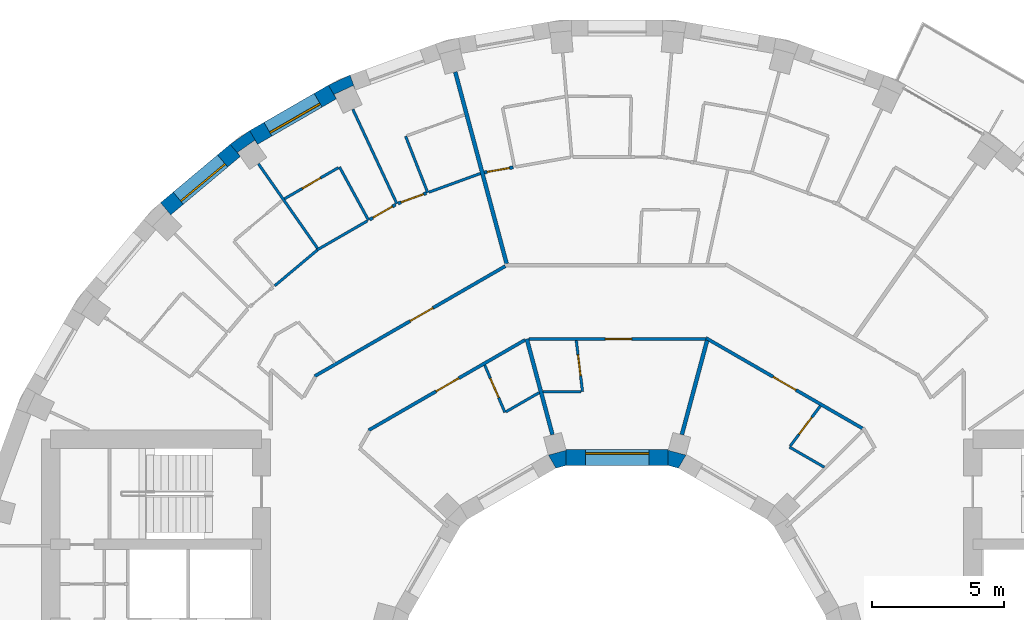
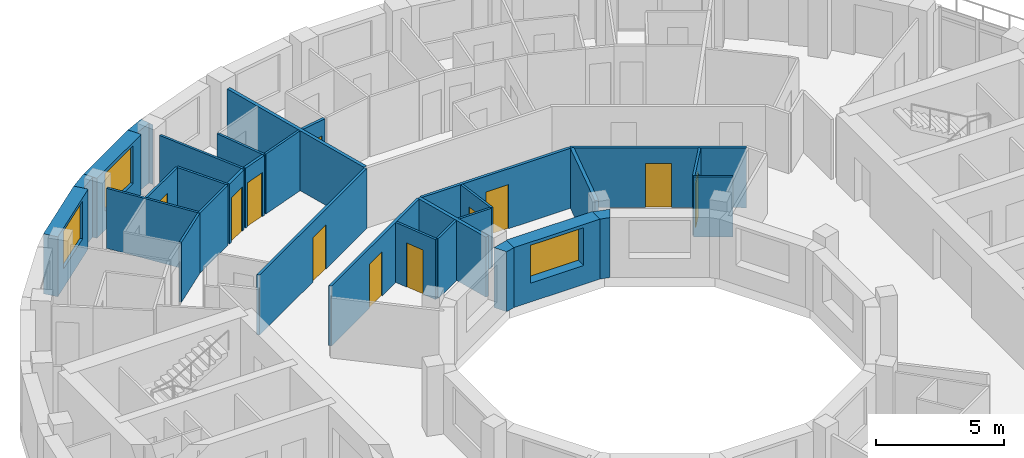
# One storey, part 11 of 15: 31 walls, 11 doors, 3 windows, 14 openings.
"""IFC4 building model written with IfcOpenShell, lengths in metres."""

import ifcopenshell
import ifcopenshell.guid

model = None  # the IFC model being written
_history = None  # IfcOwnerHistory: only IFC2X3 demands one
_inside = {}  # id of a spatial element -> (the spatial element, [elements in it])
_under = {}  # id of a project, library or spatial element -> (it, [spatial elements below it])
_declared = {}  # id of a project -> (the project, [libraries it declares])
_typed = {}  # id of a type object -> (the type object, [elements of that type])
_made_of = {}  # id of a material, layer set ... -> (it, [elements and type objects made of it])


def new_model(schema):
    """Start an empty IFC model of exactly this schema.

    Asked for "IFC4X3", IfcOpenShell would pick the latest addendum, in which some entities
    have other attributes; the version numbers below select the first issue.
    IFC2X3 requires an IfcOwnerHistory on every rooted entity: one is made here for all.
    """
    global model, _history
    if schema == "IFC4X3":
        model = ifcopenshell.file(schema_version=(4, 3, 0, 0))
    else:
        model = ifcopenshell.file(schema=schema)
    _inside.clear()
    _under.clear()
    _declared.clear()
    _typed.clear()
    _made_of.clear()
    _history = None
    if model.schema == "IFC2X3":
        org = make("IfcOrganization", Name="unknown")
        user = make(
            "IfcPersonAndOrganization",
            ThePerson=make("IfcPerson", FamilyName="unknown"),
            TheOrganization=org,
        )
        app = make(
            "IfcApplication",
            ApplicationDeveloper=org,
            Version="unknown",
            ApplicationFullName="unknown",
            ApplicationIdentifier="unknown",
        )
        _history = make(
            "IfcOwnerHistory",
            OwningUser=user,
            OwningApplication=app,
            ChangeAction="ADDED",
            CreationDate=0,
        )
    return model


def make(cls, **values):
    """One entity of the class cls with the attributes given. An attribute that is None is left unset."""
    return model.create_entity(
        cls, **{name: value for name, value in values.items() if value is not None}
    )


def rooted(cls, **values):
    """An entity with a GlobalId (a new one), such as an element, a storey or a relation."""
    return make(cls, GlobalId=ifcopenshell.guid.new(), OwnerHistory=_history, **values)


def si_unit(unit_type, name, prefix=None):
    """IfcSIUnit, for example si_unit("LENGTHUNIT", "METRE", prefix="MILLI")."""
    return make("IfcSIUnit", UnitType=unit_type, Prefix=prefix, Name=name)


def assignment(units):
    """IfcUnitAssignment: the units of a project."""
    return None if units is None else make("IfcUnitAssignment", Units=units)


def point(xyz):
    """IfcCartesianPoint."""
    return None if xyz is None else make("IfcCartesianPoint", Coordinates=xyz)


def direction(xyz):
    """IfcDirection."""
    return None if xyz is None else make("IfcDirection", DirectionRatios=xyz)


def frame(location, z_axis=None, x_axis=None):
    """IfcAxis2Placement3D, a coordinate frame: its origin and axes. An axis left out is left unset."""
    return make(
        "IfcAxis2Placement3D",
        Location=point(location),
        Axis=direction(z_axis),
        RefDirection=direction(x_axis),
    )


def frame_2d(location, x_axis=None):
    """IfcAxis2Placement2D, a coordinate frame in the plane: its origin and x axis."""
    return make(
        "IfcAxis2Placement2D", Location=point(location), RefDirection=direction(x_axis)
    )


def origin():
    """The frame at (0, 0, 0) with its axes left unset."""
    return frame((0.0, 0.0, 0.0))


def place(relative_to, where):
    """IfcLocalPlacement: puts the frame where relative to a parent placement (None: the world)."""
    return make(
        "IfcLocalPlacement", PlacementRelTo=relative_to, RelativePlacement=where
    )


def context(
    kind, dimensions, precision=None, world=None, true_north=None, identifier=None
):
    """IfcGeometricRepresentationContext, for example the 3D "Model" context."""
    return make(
        "IfcGeometricRepresentationContext",
        ContextIdentifier=identifier,
        ContextType=kind,
        CoordinateSpaceDimension=dimensions,
        Precision=precision,
        WorldCoordinateSystem=world,
        TrueNorth=true_north,
    )


def subcontext(parent, identifier, kind, view, scale=None):
    """IfcGeometricRepresentationSubContext, for example "Body" below "Model"."""
    return make(
        "IfcGeometricRepresentationSubContext",
        ContextIdentifier=identifier,
        ContextType=kind,
        ParentContext=parent,
        TargetScale=scale,
        TargetView=view,
    )


def project(units=None, contexts=None):
    """IfcProject with its units and contexts."""
    return rooted(
        "IfcProject",
        Name="project",
        RepresentationContexts=contexts,
        UnitsInContext=assignment(units),
    )


def spatial(cls, under=None, at=None, **own):
    """A site, building, storey or space (cls), placed at a placement, below another one or the project."""
    s = rooted(cls, ObjectPlacement=at, **own)
    if under is not None:
        _under.setdefault(under.id(), (under, []))[1].append(s)
    return s


def polyline(points):
    """IfcPolyline through the points."""
    return make("IfcPolyline", Points=[point(p) for p in points])


def profile(cls, at=None, kind="AREA", **sizes):
    """A parametric profile (cls). Its sizes go by their IFC names, for example OverallWidth=200.0."""
    return make(cls, ProfileType=kind, Position=at, **sizes)


def rectangle(**sizes):
    """IfcRectangleProfileDef."""
    return profile("IfcRectangleProfileDef", **sizes)


def outline(outer, holes=None, kind="AREA"):
    """IfcArbitraryClosedProfileDef: a profile drawn as a closed curve; with holes, ...WithVoids."""
    if holes is None:
        return make("IfcArbitraryClosedProfileDef", ProfileType=kind, OuterCurve=outer)
    return make(
        "IfcArbitraryProfileDefWithVoids",
        ProfileType=kind,
        OuterCurve=outer,
        InnerCurves=holes,
    )


def extrude(swept, where, along, depth):
    """IfcExtrudedAreaSolid: the profile swept, set in the frame where, extruded along a direction by depth."""
    return make(
        "IfcExtrudedAreaSolid",
        SweptArea=swept,
        Position=where,
        ExtrudedDirection=direction(along),
        Depth=depth,
    )


def shape(context_of_items, identifier, shape_type, items):
    """IfcShapeRepresentation: the items that make up one representation, for example the "Body"."""
    return make(
        "IfcShapeRepresentation",
        ContextOfItems=context_of_items,
        RepresentationIdentifier=identifier,
        RepresentationType=shape_type,
        Items=items,
    )


def material(Name=None, Category=None):
    """IfcMaterial."""
    return make("IfcMaterial", Name=Name, Category=Category)


def layer(
    of_material, thickness, ventilated=None, Name=None, Category=None, Priority=None
):
    """IfcMaterialLayer: one layer of a wall or slab, of a material (None: an air gap)."""
    return make(
        "IfcMaterialLayer",
        Material=of_material,
        LayerThickness=thickness,
        IsVentilated=ventilated,
        Name=Name,
        Category=Category,
        Priority=Priority,
    )


def layer_set(layers, Name=None):
    """IfcMaterialLayerSet."""
    return make("IfcMaterialLayerSet", MaterialLayers=layers, LayerSetName=Name)


def made_of(thing, what):
    """Note that an element or type object is made of a material, layer set ...; save() writes the relation."""
    if what is not None:
        _made_of.setdefault(what.id(), (what, []))[1].append(thing)
    return thing


def type_object(cls, material=None, **own):
    """A type object (cls), such as IfcWallType, which elements share."""
    return made_of(rooted(cls, **own), material)


def element(
    cls,
    number,
    at=None,
    inside=None,
    cuts=None,
    type_object=None,
    material=None,
    context=None,
    identifier="Body",
    shape_type=None,
    held_by="IfcProductDefinitionShape",
    body=None,
    shapes=None,
    **own,
):
    """One element of the class cls, such as IfcWall. Its Tag is "e" and its number.

    at: its placement. inside: the storey or other place that contains it. cuts: it is an
    opening in that element (IfcRelVoidsElement). A single representation is given by context,
    identifier, shape_type and body (its items); several are given by shapes. held_by: the class
    of the entity that holds the representations. save() writes the other relations.
    """
    e = rooted(cls, Tag="e%d" % number, ObjectPlacement=at, **own)
    if body is not None:
        shapes = [shape(context, identifier, shape_type, body)]
    if shapes is not None:
        e.Representation = make(held_by, Representations=shapes)
    if inside is not None:
        _inside.setdefault(inside.id(), (inside, []))[1].append(e)
    if cuts is not None:
        rooted(
            "IfcRelVoidsElement", RelatingBuildingElement=cuts, RelatedOpeningElement=e
        )
    if type_object is not None:
        _typed.setdefault(type_object.id(), (type_object, []))[1].append(e)
    return made_of(e, material)


def fill(opening, filler):
    """IfcRelFillsElement: the door or window that sits in an opening."""
    return rooted(
        "IfcRelFillsElement",
        RelatingOpeningElement=opening,
        RelatedBuildingElement=filler,
    )


def aggregate(whole, parts):
    """IfcRelAggregates: a whole, such as a stair, and the parts it consists of."""
    return rooted("IfcRelAggregates", RelatingObject=whole, RelatedObjects=parts)


def save(model, path):
    """Write the relations noted so far, then the file.

    IfcRelAggregates (storeys below a building ...), IfcRelContainedInSpatialStructure (elements
    in a storey), IfcRelDefinesByType, IfcRelAssociatesMaterial and IfcRelDeclares: one each for
    every whole, place, type object, material and project.
    """
    for whole, parts in _under.values():
        aggregate(whole, parts)
    for where, things in _inside.values():
        rooted(
            "IfcRelContainedInSpatialStructure",
            RelatedElements=things,
            RelatingStructure=where,
        )
    for kind, things in _typed.values():
        rooted("IfcRelDefinesByType", RelatedObjects=things, RelatingType=kind)
    for what, things in _made_of.values():
        rooted("IfcRelAssociatesMaterial", RelatedObjects=things, RelatingMaterial=what)
    for by, libraries in _declared.values():
        rooted("IfcRelDeclares", RelatingContext=by, RelatedDefinitions=libraries)
    model.write(path)


model = new_model("IFC4")

# Units and contexts
model_context = context("Model", 3, precision=1e-05, world=origin(), true_north=direction((0.0, 1.0)))
body_context = subcontext(model_context, "Body", "Model", "MODEL_VIEW")
ifc_project = project(units=[si_unit("LENGTHUNIT", "METRE"), si_unit("AREAUNIT", "SQUARE_METRE"), si_unit("VOLUMEUNIT", "CUBIC_METRE"), si_unit("PLANEANGLEUNIT", "RADIAN"), si_unit("MASSUNIT", "GRAM", prefix="KILO")], contexts=[model_context])

# Site, building, storey
site_placement = place(None, origin())
site = spatial("IfcSite", under=ifc_project, at=site_placement, CompositionType="ELEMENT")
building_placement = place(site_placement, origin())
building = spatial("IfcBuilding", under=site, at=building_placement, Name="Saqina Gate Tower", CompositionType="ELEMENT")
storey_placement = place(building_placement, frame((0.0, 0.0, 190.5)))
storey = spatial("IfcBuildingStorey", under=building, at=storey_placement, Name="L54", CompositionType="ELEMENT", Elevation=190.5)

# Walls
ifc_material_1 = material(Name="Brick masonry (buff)", Category="masonry")
wall_type_1 = type_object("IfcWallType", Name="BRICK PIER COPING BUFF", PredefinedType="SOLIDWALL", material=ifc_material_1)
wall_1_placement = place(storey_placement, origin())
element("IfcWall", 1, at=wall_1_placement, inside=storey, type_object=wall_type_1, Name="Pier cap L54 column 12", PredefinedType="SOLIDWALL", context=body_context, shape_type="SweptSolid", body=[
    extrude(outline(polyline([(-10.958740234375, 22.4306640625), (-10.65869140625, 21.9111328125), (-10.73779296875, 22.080810546875), (-10.0126953125, 22.4189453125), (-9.93359375, 22.249267578125), (-10.138916015625, 22.81298828125), (-10.958740234375, 22.4306640625)])), origin(), (0.0, 0.0, 1.0), 2.85009765625),
])
wall_2_placement = place(storey_placement, origin())
element("IfcWall", 2, at=wall_2_placement, inside=storey, type_object=wall_type_1, Name="Pier cap L54 column 13", PredefinedType="SOLIDWALL", context=body_context, shape_type="SweptSolid", body=[
    extrude(outline(polyline([(-13.9462890625, 20.705810546875), (-14.687255859375, 20.18701171875), (-14.301513671875, 19.727294921875), (-14.408935546875, 19.880859375), (-13.753662109375, 20.339599609375), (-13.646240234375, 20.186279296875), (-13.9462890625, 20.705810546875)])), origin(), (0.0, 0.0, 1.0), 2.85009765625),
])

# Wall, opening, window
ifc_material_2 = material(Name="Brick masonry (buff)", Category="masonry")
ifc_layer_1 = layer(ifc_material_2, 0.60009765625)
ifc_layer_set_1 = layer_set([ifc_layer_1], Name="FW-BRICK-BUFF")
wall_type_2 = type_object("IfcWallType", Name="FW-BRICK-BUFF", PredefinedType="SOLIDWALL", material=ifc_layer_set_1)
wall_3_placement = place(storey_placement, frame((-10.80859375, 22.1708984375, 0.0), z_axis=(0.0, 0.0, 1.0), x_axis=(-0.86602648383, -0.499998129301, 0.0)))
wall_3 = element("IfcWall", 3, at=wall_3_placement, inside=storey, type_object=wall_type_2, Name="Facade wall L54 facet 12", PredefinedType="SOLIDWALL", context=body_context, shape_type="SweptSolid", body=[
    extrude(rectangle(XDim=3.44970703125, YDim=0.60009765625, at=frame_2d((1.724853515625, 0.0))), origin(), (0.0, 0.0, 1.0), 2.85009765625),
])
opening_1_placement = place(wall_3_placement, frame((0.625, 0.0, 0.89990234375)))
opening_1 = element("IfcOpeningElement", 4, at=opening_1_placement, cuts=wall_3, Name="Opening G16-W06", PredefinedType="OPENING", context=body_context, shape_type="SweptSolid", body=[
    extrude(rectangle(XDim=2.199951171875, YDim=1.800048828125, at=frame_2d((1.10009765625, 0.89990234375))), frame((0.0, 0.31201171875, 0.0), z_axis=(0.0, -1.0, 0.0), x_axis=(1.0, 0.0, 0.0)), (0.0, 0.0, 1.0), 0.6240234375),
])
ifc_material_3 = material(Name="Aluminium glazing", Category="aluminium")
window_type_1 = type_object("IfcWindowType", Name="WN-C", PartitioningType="SINGLE_PANEL", PredefinedType="WINDOW", material=ifc_material_3)
window_1_placement = place(opening_1_placement, origin())
window_1 = element("IfcWindow", 5, at=window_1_placement, inside=storey, type_object=window_type_1, Name="Window L54 facet 12", OverallHeight=1.800048828125, OverallWidth=2.199951171875, PartitioningType="SINGLE_PANEL", PredefinedType="WINDOW", context=body_context, shape_type="SweptSolid", body=[
    extrude(rectangle(XDim=2.199951171875, YDim=1.800048828125, at=frame_2d((1.10009765625, 0.89990234375))), frame((0.0, 0.179931640625, 0.0), z_axis=(0.0, -1.0, 0.0), x_axis=(1.0, 0.0, 0.0)), (0.0, 0.0, 1.0), 0.06005859375),
])
fill(opening_1, window_1)

wall_4_placement = place(storey_placement, frame((-14.494384765625, 19.95703125, 0.0), z_axis=(0.0, 0.0, 1.0), x_axis=(-0.766058884809, -0.642770398358, 0.0)))
wall_4 = element("IfcWall", 6, at=wall_4_placement, inside=storey, type_object=wall_type_2, Name="Facade wall L54 facet 13", PredefinedType="SOLIDWALL", context=body_context, shape_type="SweptSolid", body=[
    extrude(rectangle(XDim=3.449462890625, YDim=0.60009765625, at=frame_2d((1.724609375, 0.0))), origin(), (0.0, 0.0, 1.0), 2.85009765625),
])
opening_2_placement = place(wall_4_placement, frame((0.625, 0.0, 0.89990234375)))
opening_2 = element("IfcOpeningElement", 7, at=opening_2_placement, cuts=wall_4, Name="Opening G16-W07", PredefinedType="OPENING", context=body_context, shape_type="SweptSolid", body=[
    extrude(rectangle(XDim=2.199951171875, YDim=1.800048828125, at=frame_2d((1.10009765625, 0.89990234375))), frame((0.0, 0.31201171875, 0.0), z_axis=(0.0, -1.0, 0.0), x_axis=(1.0, 0.0, 0.0)), (0.0, 0.0, 1.0), 0.6240234375),
])
window_2_placement = place(opening_2_placement, origin())
window_2 = element("IfcWindow", 8, at=window_2_placement, inside=storey, type_object=window_type_1, Name="Window L54 facet 13", OverallHeight=1.800048828125, OverallWidth=2.199951171875, PartitioningType="SINGLE_PANEL", PredefinedType="WINDOW", context=body_context, shape_type="SweptSolid", body=[
    extrude(rectangle(XDim=2.199951171875, YDim=1.800048828125, at=frame_2d((1.10009765625, 0.89990234375))), frame((0.0, 0.179931640625, 0.0), z_axis=(0.0, -1.0, 0.0), x_axis=(1.0, 0.0, 0.0)), (0.0, 0.0, 1.0), 0.06005859375),
])
fill(opening_2, window_2)

ifc_material_4 = material(Name="Glazed ceramic tile", Category="ceramic")
ifc_layer_2 = layer(ifc_material_4, 0.60009765625)
ifc_layer_set_2 = layer_set([ifc_layer_2], Name="IW-TILE")
wall_type_3 = type_object("IfcWallType", Name="IW-TILE", PredefinedType="SOLIDWALL", material=ifc_layer_set_2)
wall_5_placement = place(storey_placement, frame((1.934814453125, 8.300048828125, 0.0), z_axis=(0.0, 0.0, 1.0), x_axis=(-1.0, 0.0, 0.0)))
wall_5 = element("IfcWall", 9, at=wall_5_placement, inside=storey, type_object=wall_type_3, Name="Well wall L54 facet 3", PredefinedType="SOLIDWALL", context=body_context, shape_type="SweptSolid", body=[
    extrude(rectangle(XDim=3.86962890625, YDim=0.60009765625, at=frame_2d((1.934814453125, 0.0))), origin(), (0.0, 0.0, 1.0), 2.85009765625),
])
opening_3_placement = place(wall_5_placement, frame((0.73486328125, 0.0, 0.89990234375)))
opening_3 = element("IfcOpeningElement", 10, at=opening_3_placement, cuts=wall_5, Name="Opening G16-W25", PredefinedType="OPENING", context=body_context, shape_type="SweptSolid", body=[
    extrude(rectangle(XDim=2.39990234375, YDim=1.800048828125, at=frame_2d((1.199951171875, 0.89990234375))), frame((0.0, 0.31201171875, 0.0), z_axis=(0.0, -1.0, 0.0), x_axis=(1.0, 0.0, 0.0)), (0.0, 0.0, 1.0), 0.6240234375),
])
ifc_material_5 = material(Name="Aluminium glazing", Category="aluminium")
window_type_2 = type_object("IfcWindowType", Name="WN-W", PartitioningType="SINGLE_PANEL", PredefinedType="WINDOW", material=ifc_material_5)
window_3_placement = place(opening_3_placement, origin())
window_3 = element("IfcWindow", 11, at=window_3_placement, inside=storey, type_object=window_type_2, Name="Well window L54 facet 3", OverallHeight=1.800048828125, OverallWidth=2.39990234375, PartitioningType="SINGLE_PANEL", PredefinedType="WINDOW", context=body_context, shape_type="SweptSolid", body=[
    extrude(rectangle(XDim=2.39990234375, YDim=1.800048828125, at=frame_2d((1.199951171875, 0.89990234375))), frame((0.0, -0.119873046875, 0.0), z_axis=(0.0, -1.0, 0.0), x_axis=(1.0, 0.0, 0.0)), (0.0, 0.0, 1.0), 0.06005859375),
])
fill(opening_3, window_3)

# Wall, opening, door
ifc_material_6 = material(Name="Gypsum board on steel studs, 100 mm", Category="steel")
ifc_layer_3 = layer(ifc_material_6, 0.10009765625)
ifc_layer_set_3 = layer_set([ifc_layer_3], Name="PARTITION 100")
wall_type_4 = type_object("IfcWallType", Name="PARTITION 100", PredefinedType="PARTITIONING", material=ifc_layer_set_3)
wall_6_placement = place(storey_placement, frame((-1.551513671875, 12.738037109375, 0.0), z_axis=(0.0, 0.0, 1.0), x_axis=(0.121171579545, -0.992631577329, 0.0)))
wall_6 = element("IfcWall", 12, at=wall_6_placement, inside=storey, type_object=wall_type_4, Name="PARTITION PW3-05", PredefinedType="PARTITIONING", context=body_context, shape_type="SweptSolid", body=[
    extrude(rectangle(XDim=1.952392578125, YDim=0.10009765625, at=frame_2d((0.97607421875, 0.0))), origin(), (0.0, 0.0, 1.0), 2.85009765625),
])
opening_4_placement = place(wall_6_placement, frame((0.544921875, 0.0, 0.0)))
opening_4 = element("IfcOpeningElement", 13, at=opening_4_placement, cuts=wall_6, Name="Opening G16-D18", PredefinedType="OPENING", context=body_context, shape_type="SweptSolid", body=[
    extrude(rectangle(XDim=0.800048828125, YDim=2.10009765625, at=frame_2d((0.39990234375, 1.050048828125))), frame((0.0, 0.06201171875, 0.0), z_axis=(0.0, -1.0, 0.0), x_axis=(1.0, 0.0, 0.0)), (0.0, 0.0, 1.0), 0.1240234375),
])
ifc_material_7 = material(Name="Timber door leaf, 800 mm", Category="wood")
door_type_1 = type_object("IfcDoorType", Name="DOOR 800 TIMBER", OperationType="SINGLE_SWING_LEFT", PredefinedType="DOOR", material=ifc_material_7)
door_1_placement = place(opening_4_placement, origin())
door_1 = element("IfcDoor", 14, at=door_1_placement, inside=storey, type_object=door_type_1, Name="DOOR G16-D18", OperationType="SINGLE_SWING_LEFT", OverallHeight=2.10009765625, OverallWidth=0.800048828125, PredefinedType="DOOR", context=body_context, shape_type="SweptSolid", body=[
    extrude(rectangle(XDim=0.800048828125, YDim=2.10009765625, at=frame_2d((0.39990234375, 1.050048828125))), frame((0.0, 0.02490234375, 0.0), z_axis=(0.0, -1.0, 0.0), x_axis=(1.0, 0.0, 0.0)), (0.0, 0.0, 1.0), 0.050048828125),
])
fill(opening_4, door_1)

# Wall
wall_7_placement = place(storey_placement, frame((-8.030029296875, 20.493896484375, 0.0), z_axis=(0.0, 0.0, 1.0), x_axis=(0.364775478286, -0.931095510912, 0.0)))
element("IfcWall", 15, at=wall_7_placement, inside=storey, type_object=wall_type_4, Name="PARTITION PW3-10", PredefinedType="PARTITIONING", context=body_context, shape_type="SweptSolid", body=[
    extrude(rectangle(XDim=2.30029296875, YDim=0.10009765625, at=frame_2d((1.150146484375, 0.0))), origin(), (0.0, 0.0, 1.0), 2.85009765625),
])

# Wall, opening, door
wall_8_placement = place(storey_placement, frame((-5.025634765625, 11.806396484375, 0.0), z_axis=(0.0, 0.0, 1.0), x_axis=(0.391834610446, -0.920035672165, 0.0)))
wall_8 = element("IfcWall", 16, at=wall_8_placement, inside=storey, type_object=wall_type_4, Name="PARTITION PW3-12", PredefinedType="PARTITIONING", context=body_context, shape_type="SweptSolid", body=[
    extrude(rectangle(XDim=1.951416015625, YDim=0.10009765625, at=frame_2d((0.9755859375, 0.0))), origin(), (0.0, 0.0, 1.0), 2.85009765625),
])
opening_5_placement = place(wall_8_placement, frame((0.54443359375, 0.0, 0.0)))
opening_5 = element("IfcOpeningElement", 17, at=opening_5_placement, cuts=wall_8, Name="Opening G16-D22", PredefinedType="OPENING", context=body_context, shape_type="SweptSolid", body=[
    extrude(rectangle(XDim=0.800048828125, YDim=2.10009765625, at=frame_2d((0.39990234375, 1.050048828125))), frame((0.0, 0.06201171875, 0.0), z_axis=(0.0, -1.0, 0.0), x_axis=(1.0, 0.0, 0.0)), (0.0, 0.0, 1.0), 0.1240234375),
])
door_2_placement = place(opening_5_placement, frame((0.800048828125, 0.0, 0.0), z_axis=(0.0, 0.0, 1.0), x_axis=(-1.0, 0.0, 0.0)))
door_2 = element("IfcDoor", 18, at=door_2_placement, inside=storey, type_object=door_type_1, Name="DOOR G16-D22", OperationType="SINGLE_SWING_RIGHT", OverallHeight=2.10009765625, OverallWidth=0.800048828125, PredefinedType="DOOR", context=body_context, shape_type="SweptSolid", body=[
    extrude(rectangle(XDim=0.800048828125, YDim=2.10009765625, at=frame_2d((0.39990234375, 1.050048828125))), frame((0.0, 0.02490234375, 0.0), z_axis=(0.0, -1.0, 0.0), x_axis=(1.0, 0.0, 0.0)), (0.0, 0.0, 1.0), 0.050048828125),
])
fill(opening_5, door_2)

# Walls
wall_9_placement = place(storey_placement, frame((-10.032958984375, 21.515869140625, 0.0), z_axis=(0.0, 0.0, 1.0), x_axis=(0.422733584559, -0.90625400219, 0.0)))
element("IfcWall", 19, at=wall_9_placement, inside=storey, type_object=wall_type_4, Name="PARTITION PW3-13", PredefinedType="PARTITIONING", context=body_context, shape_type="SweptSolid", body=[
    extrude(rectangle(XDim=3.960205078125, YDim=0.10009765625, at=frame_2d((1.97998046875, 0.0))), origin(), (0.0, 0.0, 1.0), 2.85009765625),
])
wall_10_placement = place(storey_placement, frame((-10.5380859375, 19.324951171875, 0.0), z_axis=(0.0, 0.0, 1.0), x_axis=(0.478926465157, -0.877855022753, 0.0)))
element("IfcWall", 20, at=wall_10_placement, inside=storey, type_object=wall_type_4, Name="PARTITION PW3-14", PredefinedType="PARTITIONING", context=body_context, shape_type="SweptSolid", body=[
    extrude(rectangle(XDim=2.301025390625, YDim=0.10009765625, at=frame_2d((1.150390625, 0.0))), origin(), (0.0, 0.0, 1.0), 2.85009765625),
])
wall_11_placement = place(storey_placement, frame((-13.616943359375, 19.446533203125, 0.0), z_axis=(0.0, 0.0, 1.0), x_axis=(0.573546149397, -0.819173250608, 0.0)))
element("IfcWall", 21, at=wall_11_placement, inside=storey, type_object=wall_type_4, Name="PARTITION PW3-18", PredefinedType="PARTITIONING", context=body_context, shape_type="SweptSolid", body=[
    extrude(rectangle(XDim=3.91015625, YDim=0.10009765625, at=frame_2d((1.955078125, 0.0))), origin(), (0.0, 0.0, 1.0), 2.85009765625),
])
wall_12_placement = place(storey_placement, frame((6.5390625, 8.696044921875, 0.0), z_axis=(0.0, 0.0, 1.0), x_axis=(0.86577590921, -0.500431888503, 0.0)))
element("IfcWall", 22, at=wall_12_placement, inside=storey, type_object=wall_type_4, Name="PARTITION PW3-38", PredefinedType="PARTITIONING", context=body_context, shape_type="SweptSolid", body=[
    extrude(rectangle(XDim=1.529052734375, YDim=0.10009765625, at=frame_2d((0.7646484375, 0.0))), origin(), (0.0, 0.0, 1.0), 2.85009765625),
])
wall_13_placement = place(storey_placement, frame((-2.819091796875, 10.800048828125, 0.0), z_axis=(0.0, 0.0, 1.0), x_axis=(1.0, 0.0, 0.0)))
element("IfcWall", 23, at=wall_13_placement, inside=storey, type_object=wall_type_4, Name="PARTITION PW3-55", PredefinedType="PARTITIONING", context=body_context, shape_type="SweptSolid", body=[
    extrude(rectangle(XDim=1.4541015625, YDim=0.10009765625, at=frame_2d((0.72705078125, 0.0))), origin(), (0.0, 0.0, 1.0), 2.85009765625),
])
wall_14_placement = place(storey_placement, frame((-7.14404296875, 18.369140625, 0.0), z_axis=(0.0, 0.0, 1.0), x_axis=(0.939728291625, 0.341922122596, 0.0)))
element("IfcWall", 24, at=wall_14_placement, inside=storey, type_object=wall_type_4, Name="PARTITION PW3-65", PredefinedType="PARTITIONING", context=body_context, shape_type="SweptSolid", body=[
    extrude(rectangle(XDim=2.079833984375, YDim=0.10009765625, at=frame_2d((1.0400390625, 0.0))), origin(), (0.0, 0.0, 1.0), 2.85009765625),
])
wall_15_placement = place(storey_placement, frame((-4.2177734375, 10.035888671875, 0.0), z_axis=(0.0, 0.0, 1.0), x_axis=(0.866084894657, 0.499896944627, 0.0)))
element("IfcWall", 25, at=wall_15_placement, inside=storey, type_object=wall_type_4, Name="PARTITION PW3-71", PredefinedType="PARTITIONING", context=body_context, shape_type="SweptSolid", body=[
    extrude(rectangle(XDim=1.453369140625, YDim=0.10009765625, at=frame_2d((0.7265625, 0.0))), origin(), (0.0, 0.0, 1.0), 2.85009765625),
])
wall_16_placement = place(storey_placement, frame((-11.388916015625, 16.177734375, 0.0), z_axis=(0.0, 0.0, 1.0), x_axis=(0.866074964767, 0.499914148034, 0.0)))
element("IfcWall", 26, at=wall_16_placement, inside=storey, type_object=wall_type_4, Name="PARTITION PW3-73", PredefinedType="PARTITIONING", context=body_context, shape_type="SweptSolid", body=[
    extrude(rectangle(XDim=2.205078125, YDim=0.10009765625, at=frame_2d((1.1025390625, 0.0))), origin(), (0.0, 0.0, 1.0), 2.85009765625),
])

# Wall, opening, door
wall_17_placement = place(storey_placement, frame((-12.626708984375, 18.118896484375, 0.0), z_axis=(0.0, 0.0, 1.0), x_axis=(0.865982457891, 0.500074377092, 0.0)))
wall_17 = element("IfcWall", 27, at=wall_17_placement, inside=storey, type_object=wall_type_4, Name="PARTITION PW3-74", PredefinedType="PARTITIONING", context=body_context, shape_type="SweptSolid", body=[
    extrude(rectangle(XDim=2.362060546875, YDim=0.10009765625, at=frame_2d((1.18115234375, 0.0))), origin(), (0.0, 0.0, 1.0), 2.85009765625),
])
opening_6_placement = place(wall_17_placement, frame((0.781005859375, 0.0, 0.0)))
opening_6 = element("IfcOpeningElement", 28, at=opening_6_placement, cuts=wall_17, Name="Opening G16-D27", PredefinedType="OPENING", context=body_context, shape_type="SweptSolid", body=[
    extrude(rectangle(XDim=0.800048828125, YDim=2.10009765625, at=frame_2d((0.39990234375, 1.050048828125))), frame((0.0, 0.06201171875, 0.0), z_axis=(0.0, -1.0, 0.0), x_axis=(1.0, 0.0, 0.0)), (0.0, 0.0, 1.0), 0.1240234375),
])
door_3_placement = place(opening_6_placement, origin())
door_3 = element("IfcDoor", 29, at=door_3_placement, inside=storey, type_object=door_type_1, Name="DOOR G16-D27", OperationType="SINGLE_SWING_LEFT", OverallHeight=2.10009765625, OverallWidth=0.800048828125, PredefinedType="DOOR", context=body_context, shape_type="SweptSolid", body=[
    extrude(rectangle(XDim=0.800048828125, YDim=2.10009765625, at=frame_2d((0.39990234375, 1.050048828125))), frame((0.0, 0.02490234375, 0.0), z_axis=(0.0, -1.0, 0.0), x_axis=(1.0, 0.0, 0.0)), (0.0, 0.0, 1.0), 0.050048828125),
])
fill(opening_6, door_3)

# Wall
wall_18_placement = place(storey_placement, frame((-12.99560546875, 14.818115234375, 0.0), z_axis=(0.0, 0.0, 1.0), x_axis=(0.766068087891, 0.642759429892, 0.0)))
element("IfcWall", 30, at=wall_18_placement, inside=storey, type_object=wall_type_4, Name="PARTITION PW3-77", PredefinedType="PARTITIONING", context=body_context, shape_type="SweptSolid", body=[
    extrude(rectangle(XDim=2.104736328125, YDim=0.10009765625, at=frame_2d((1.05224609375, 0.0))), origin(), (0.0, 0.0, 1.0), 2.85009765625),
])

# Wall, opening, door
wall_19_placement = place(storey_placement, frame((6.569091796875, 8.73583984375, 0.0), z_axis=(0.0, 0.0, 1.0), x_axis=(0.601088130312, 0.799182744808, 0.0)))
wall_19 = element("IfcWall", 31, at=wall_19_placement, inside=storey, type_object=wall_type_4, Name="PARTITION PW3-85", PredefinedType="PARTITIONING", context=body_context, shape_type="SweptSolid", body=[
    extrude(rectangle(XDim=1.901611328125, YDim=0.10009765625, at=frame_2d((0.95068359375, 0.0))), origin(), (0.0, 0.0, 1.0), 2.85009765625),
])
opening_7_placement = place(wall_19_placement, frame((0.557373046875, 0.0, 0.0)))
opening_7 = element("IfcOpeningElement", 32, at=opening_7_placement, cuts=wall_19, Name="Opening G16-D04", PredefinedType="OPENING", context=body_context, shape_type="SweptSolid", body=[
    extrude(rectangle(XDim=0.800048828125, YDim=2.10009765625, at=frame_2d((0.39990234375, 1.050048828125))), frame((0.0, 0.06201171875, 0.0), z_axis=(0.0, -1.0, 0.0), x_axis=(1.0, 0.0, 0.0)), (0.0, 0.0, 1.0), 0.1240234375),
])
door_4_placement = place(opening_7_placement, origin())
door_4 = element("IfcDoor", 33, at=door_4_placement, inside=storey, type_object=door_type_1, Name="DOOR G16-D04", OperationType="SINGLE_SWING_RIGHT", OverallHeight=2.10009765625, OverallWidth=0.800048828125, PredefinedType="DOOR", context=body_context, shape_type="SweptSolid", body=[
    extrude(rectangle(XDim=0.800048828125, YDim=2.10009765625, at=frame_2d((0.39990234375, 1.050048828125))), frame((0.0, 0.02490234375, 0.0), z_axis=(0.0, -1.0, 0.0), x_axis=(1.0, 0.0, 0.0)), (0.0, 0.0, 1.0), 0.050048828125),
])
fill(opening_7, door_4)

ifc_material_8 = material(Name="Gypsum board on steel studs, 125 mm, fire rated", Category="steel")
ifc_layer_4 = layer(ifc_material_8, 0.125)
ifc_layer_set_4 = layer_set([ifc_layer_4], Name="PARTITION EI 30 125")
wall_type_5 = type_object("IfcWallType", Name="PARTITION EI 30 125", PredefinedType="PARTITIONING", material=ifc_layer_set_4)
wall_20_placement = place(storey_placement, frame((3.367431640625, 12.836181640625, 0.0), z_axis=(0.0, 0.0, 1.0), x_axis=(0.865996765544, -0.500049599607, 0.0)))
wall_20 = element("IfcWall", 34, at=wall_20_placement, inside=storey, type_object=wall_type_5, Name="PARTITION PW1-15", PredefinedType="PARTITIONING", context=body_context, shape_type="SweptSolid", body=[
    extrude(rectangle(XDim=6.868896484375, YDim=0.125, at=frame_2d((3.4345703125, 0.0))), origin(), (0.0, 0.0, 1.0), 2.85009765625),
])
opening_8_placement = place(wall_20_placement, frame((2.950927734375, 0.0, 0.0)))
opening_8 = element("IfcOpeningElement", 35, at=opening_8_placement, cuts=wall_20, Name="Opening G16-D06", PredefinedType="OPENING", context=body_context, shape_type="SweptSolid", body=[
    extrude(rectangle(XDim=1.0, YDim=2.10009765625, at=frame_2d((0.5, 1.050048828125))), frame((0.0, 0.074462890625, 0.0), z_axis=(0.0, -1.0, 0.0), x_axis=(1.0, 0.0, 0.0)), (0.0, 0.0, 1.0), 0.14892578125),
])
ifc_material_9 = material(Name="Fire door leaf EI 30, 1000 mm")
door_type_2 = type_object("IfcDoorType", Name="DOOR 1000 EI 30", OperationType="SINGLE_SWING_LEFT", PredefinedType="DOOR", material=ifc_material_9)
door_5_placement = place(opening_8_placement, frame((1.0, 0.0, 0.0), z_axis=(0.0, 0.0, 1.0), x_axis=(-1.0, 0.0, 0.0)))
door_5 = element("IfcDoor", 36, at=door_5_placement, inside=storey, type_object=door_type_2, Name="DOOR G16-D06", OperationType="SINGLE_SWING_LEFT", OverallHeight=2.10009765625, OverallWidth=1.0, PredefinedType="DOOR", context=body_context, shape_type="SweptSolid", body=[
    extrude(rectangle(XDim=1.0, YDim=2.10009765625, at=frame_2d((0.5, 1.050048828125))), frame((0.0, 0.02490234375, 0.0), z_axis=(0.0, -1.0, 0.0), x_axis=(1.0, 0.0, 0.0)), (0.0, 0.0, 1.0), 0.050048828125),
])
fill(opening_8, door_5)

wall_21_placement = place(storey_placement, frame((-3.35498046875, 12.800048828125, 0.0), z_axis=(0.0, 0.0, 1.0), x_axis=(1.0, 0.0, 0.0)))
wall_21 = element("IfcWall", 37, at=wall_21_placement, inside=storey, type_object=wall_type_5, Name="PARTITION PW1-25", PredefinedType="PARTITIONING", context=body_context, shape_type="SweptSolid", body=[
    extrude(rectangle(XDim=6.722412109375, YDim=0.125, at=frame_2d((3.361328125, 0.0))), origin(), (0.0, 0.0, 1.0), 2.85009765625),
])
opening_9_placement = place(wall_21_placement, frame((2.905517578125, 0.0, 0.0)))
opening_9 = element("IfcOpeningElement", 38, at=opening_9_placement, cuts=wall_21, Name="Opening G16-D16", PredefinedType="OPENING", context=body_context, shape_type="SweptSolid", body=[
    extrude(rectangle(XDim=1.0, YDim=2.10009765625, at=frame_2d((0.5, 1.050048828125))), frame((0.0, 0.074462890625, 0.0), z_axis=(0.0, -1.0, 0.0), x_axis=(1.0, 0.0, 0.0)), (0.0, 0.0, 1.0), 0.14892578125),
])
door_6_placement = place(opening_9_placement, frame((1.0, 0.0, 0.0), z_axis=(0.0, 0.0, 1.0), x_axis=(-1.0, 0.0, 0.0)))
door_6 = element("IfcDoor", 39, at=door_6_placement, inside=storey, type_object=door_type_2, Name="DOOR G16-D16", OperationType="SINGLE_SWING_LEFT", OverallHeight=2.10009765625, OverallWidth=1.0, PredefinedType="DOOR", context=body_context, shape_type="SweptSolid", body=[
    extrude(rectangle(XDim=1.0, YDim=2.10009765625, at=frame_2d((0.5, 1.050048828125))), frame((0.0, 0.02490234375, 0.0), z_axis=(0.0, -1.0, 0.0), x_axis=(1.0, 0.0, 0.0)), (0.0, 0.0, 1.0), 0.050048828125),
])
fill(opening_9, door_6)

wall_22_placement = place(storey_placement, frame((-5.045166015625, 19.119140625, 0.0), z_axis=(0.0, 0.0, 1.0), x_axis=(0.984809932548, 0.173635816451, 0.0)))
wall_22 = element("IfcWall", 40, at=wall_22_placement, inside=storey, type_object=wall_type_5, Name="PARTITION PW1-29", PredefinedType="PARTITIONING", context=body_context, shape_type="SweptSolid", body=[
    extrude(rectangle(XDim=1.117919921875, YDim=0.125, at=frame_2d((0.55908203125, 0.0))), origin(), (0.0, 0.0, 1.0), 2.85009765625),
])
opening_10_placement = place(wall_22_placement, frame((0.12158203125, 0.0, 0.0)))
opening_10 = element("IfcOpeningElement", 41, at=opening_10_placement, cuts=wall_22, Name="Opening G16-D20", PredefinedType="OPENING", context=body_context, shape_type="SweptSolid", body=[
    extrude(rectangle(XDim=0.85009765625, YDim=2.10009765625, at=frame_2d((0.425048828125, 1.050048828125))), frame((0.0, 0.074462890625, 0.0), z_axis=(0.0, -1.0, 0.0), x_axis=(1.0, 0.0, 0.0)), (0.0, 0.0, 1.0), 0.14892578125),
])
ifc_material_10 = material(Name="Fire door leaf EI 30, 850 mm")
door_type_3 = type_object("IfcDoorType", Name="DOOR 850 EI 30", OperationType="SINGLE_SWING_LEFT", PredefinedType="DOOR", material=ifc_material_10)
door_7_placement = place(opening_10_placement, frame((0.85009765625, 0.0, 0.0), z_axis=(0.0, 0.0, 1.0), x_axis=(-1.0, 0.0, 0.0)))
door_7 = element("IfcDoor", 42, at=door_7_placement, inside=storey, type_object=door_type_3, Name="DOOR G16-D20", OperationType="SINGLE_SWING_RIGHT", OverallHeight=2.10009765625, OverallWidth=0.85009765625, PredefinedType="DOOR", context=body_context, shape_type="SweptSolid", body=[
    extrude(rectangle(XDim=0.85009765625, YDim=2.10009765625, at=frame_2d((0.425048828125, 1.050048828125))), frame((0.0, 0.02490234375, 0.0), z_axis=(0.0, -1.0, 0.0), x_axis=(1.0, 0.0, 0.0)), (0.0, 0.0, 1.0), 0.050048828125),
])
fill(opening_10, door_7)

wall_23_placement = place(storey_placement, frame((-8.31201171875, 17.944091796875, 0.0), z_axis=(0.0, 0.0, 1.0), x_axis=(0.939699833517, 0.34200032586, 0.0)))
wall_23 = element("IfcWall", 43, at=wall_23_placement, inside=storey, type_object=wall_type_5, Name="PARTITION PW1-31", PredefinedType="PARTITIONING", context=body_context, shape_type="SweptSolid", body=[
    extrude(rectangle(XDim=1.142822265625, YDim=0.125, at=frame_2d((0.5712890625, 0.0))), origin(), (0.0, 0.0, 1.0), 2.85009765625),
])
opening_11_placement = place(wall_23_placement, frame((0.12158203125, 0.0, 0.0)))
opening_11 = element("IfcOpeningElement", 44, at=opening_11_placement, cuts=wall_23, Name="Opening G16-D23", PredefinedType="OPENING", context=body_context, shape_type="SweptSolid", body=[
    extrude(rectangle(XDim=0.89990234375, YDim=2.10009765625, at=frame_2d((0.449951171875, 1.050048828125))), frame((0.0, 0.074462890625, 0.0), z_axis=(0.0, -1.0, 0.0), x_axis=(1.0, 0.0, 0.0)), (0.0, 0.0, 1.0), 0.14892578125),
])
ifc_material_11 = material(Name="Fire door leaf EI 30, 900 mm")
door_type_4 = type_object("IfcDoorType", Name="DOOR 900 EI 30", OperationType="SINGLE_SWING_LEFT", PredefinedType="DOOR", material=ifc_material_11)
door_8_placement = place(opening_11_placement, frame((0.89990234375, 0.0, 0.0), z_axis=(0.0, 0.0, 1.0), x_axis=(-1.0, 0.0, 0.0)))
door_8 = element("IfcDoor", 45, at=door_8_placement, inside=storey, type_object=door_type_4, Name="DOOR G16-D23", OperationType="SINGLE_SWING_RIGHT", OverallHeight=2.10009765625, OverallWidth=0.89990234375, PredefinedType="DOOR", context=body_context, shape_type="SweptSolid", body=[
    extrude(rectangle(XDim=0.89990234375, YDim=2.10009765625, at=frame_2d((0.449951171875, 1.050048828125))), frame((0.0, 0.02490234375, 0.0), z_axis=(0.0, -1.0, 0.0), x_axis=(1.0, 0.0, 0.0)), (0.0, 0.0, 1.0), 0.050048828125),
])
fill(opening_11, door_8)

wall_24_placement = place(storey_placement, frame((-9.432373046875, 9.333984375, 0.0), z_axis=(0.0, 0.0, 1.0), x_axis=(0.865997009199, 0.500049177639, 0.0)))
wall_24 = element("IfcWall", 46, at=wall_24_placement, inside=storey, type_object=wall_type_5, Name="PARTITION PW1-35", PredefinedType="PARTITIONING", context=body_context, shape_type="SweptSolid", body=[
    extrude(rectangle(XDim=6.856201171875, YDim=0.125, at=frame_2d((3.42822265625, 0.0))), origin(), (0.0, 0.0, 1.0), 2.85009765625),
])
opening_12_placement = place(wall_24_placement, frame((2.950927734375, 0.0, 0.0)))
opening_12 = element("IfcOpeningElement", 47, at=opening_12_placement, cuts=wall_24, Name="Opening G16-D26", PredefinedType="OPENING", context=body_context, shape_type="SweptSolid", body=[
    extrude(rectangle(XDim=1.0, YDim=2.10009765625, at=frame_2d((0.5, 1.050048828125))), frame((0.0, 0.074462890625, 0.0), z_axis=(0.0, -1.0, 0.0), x_axis=(1.0, 0.0, 0.0)), (0.0, 0.0, 1.0), 0.14892578125),
])
door_9_placement = place(opening_12_placement, frame((1.0, 0.0, 0.0), z_axis=(0.0, 0.0, 1.0), x_axis=(-1.0, 0.0, 0.0)))
door_9 = element("IfcDoor", 48, at=door_9_placement, inside=storey, type_object=door_type_2, Name="DOOR G16-D26", OperationType="SINGLE_SWING_LEFT", OverallHeight=2.10009765625, OverallWidth=1.0, PredefinedType="DOOR", context=body_context, shape_type="SweptSolid", body=[
    extrude(rectangle(XDim=1.0, YDim=2.10009765625, at=frame_2d((0.5, 1.050048828125))), frame((0.0, 0.02490234375, 0.0), z_axis=(0.0, -1.0, 0.0), x_axis=(1.0, 0.0, 0.0)), (0.0, 0.0, 1.0), 0.050048828125),
])
fill(opening_12, door_9)

wall_25_placement = place(storey_placement, frame((-11.482421875, 11.384033203125, 0.0), z_axis=(0.0, 0.0, 1.0), x_axis=(0.866032345022, 0.499987977232, 0.0)))
wall_25 = element("IfcWall", 49, at=wall_25_placement, inside=storey, type_object=wall_type_5, Name="PARTITION PW1-36", PredefinedType="PARTITIONING", context=body_context, shape_type="SweptSolid", body=[
    extrude(rectangle(XDim=8.357177734375, YDim=0.125, at=frame_2d((4.1787109375, 0.0))), origin(), (0.0, 0.0, 1.0), 2.85009765625),
])
opening_13_placement = place(wall_25_placement, frame((4.18408203125, 0.0, 0.0)))
opening_13 = element("IfcOpeningElement", 50, at=opening_13_placement, cuts=wall_25, Name="Opening G16-D25", PredefinedType="OPENING", context=body_context, shape_type="SweptSolid", body=[
    extrude(rectangle(XDim=1.0, YDim=2.10009765625, at=frame_2d((0.5, 1.050048828125))), frame((0.0, 0.074462890625, 0.0), z_axis=(0.0, -1.0, 0.0), x_axis=(1.0, 0.0, 0.0)), (0.0, 0.0, 1.0), 0.14892578125),
])
door_10_placement = place(opening_13_placement, origin())
door_10 = element("IfcDoor", 51, at=door_10_placement, inside=storey, type_object=door_type_2, Name="DOOR G16-D25", OperationType="SINGLE_SWING_RIGHT", OverallHeight=2.10009765625, OverallWidth=1.0, PredefinedType="DOOR", context=body_context, shape_type="SweptSolid", body=[
    extrude(rectangle(XDim=1.0, YDim=2.10009765625, at=frame_2d((0.5, 1.050048828125))), frame((0.0, 0.02490234375, 0.0), z_axis=(0.0, -1.0, 0.0), x_axis=(1.0, 0.0, 0.0)), (0.0, 0.0, 1.0), 0.050048828125),
])
fill(opening_13, door_10)

wall_26_placement = place(storey_placement, frame((-9.392822265625, 17.330078125, 0.0), z_axis=(0.0, 0.0, 1.0), x_axis=(0.866016678684, 0.500015112013, 0.0)))
wall_26 = element("IfcWall", 52, at=wall_26_placement, inside=storey, type_object=wall_type_5, Name="PARTITION PW1-37", PredefinedType="PARTITIONING", context=body_context, shape_type="SweptSolid", body=[
    extrude(rectangle(XDim=1.13134765625, YDim=0.125, at=frame_2d((0.565673828125, 0.0))), origin(), (0.0, 0.0, 1.0), 2.85009765625),
])
opening_14_placement = place(wall_26_placement, frame((0.14697265625, 0.0, 0.0)))
opening_14 = element("IfcOpeningElement", 53, at=opening_14_placement, cuts=wall_26, Name="Opening G16-D24", PredefinedType="OPENING", context=body_context, shape_type="SweptSolid", body=[
    extrude(rectangle(XDim=0.85009765625, YDim=2.10009765625, at=frame_2d((0.425048828125, 1.050048828125))), frame((0.0, 0.074462890625, 0.0), z_axis=(0.0, -1.0, 0.0), x_axis=(1.0, 0.0, 0.0)), (0.0, 0.0, 1.0), 0.14892578125),
])
door_11_placement = place(opening_14_placement, frame((0.85009765625, 0.0, 0.0), z_axis=(0.0, 0.0, 1.0), x_axis=(-1.0, 0.0, 0.0)))
door_11 = element("IfcDoor", 54, at=door_11_placement, inside=storey, type_object=door_type_3, Name="DOOR G16-D24", OperationType="SINGLE_SWING_LEFT", OverallHeight=2.10009765625, OverallWidth=0.85009765625, PredefinedType="DOOR", context=body_context, shape_type="SweptSolid", body=[
    extrude(rectangle(XDim=0.85009765625, YDim=2.10009765625, at=frame_2d((0.425048828125, 1.050048828125))), frame((0.0, 0.02490234375, 0.0), z_axis=(0.0, -1.0, 0.0), x_axis=(1.0, 0.0, 0.0)), (0.0, 0.0, 1.0), 0.050048828125),
])
fill(opening_14, door_11)

# Walls
ifc_material_12 = material(Name="Gypsum board on steel studs, 150 mm, fire rated", Category="steel")
ifc_layer_5 = layer(ifc_material_12, 0.14990234375)
ifc_layer_set_5 = layer_set([ifc_layer_5], Name="PARTITION EI 60 150")
wall_type_6 = type_object("IfcWallType", Name="PARTITION EI 60 150", PredefinedType="PARTITIONING", material=ifc_layer_set_5)
wall_27_placement = place(storey_placement, frame((-6.14453125, 22.93115234375, 0.0), z_axis=(0.0, 0.0, 1.0), x_axis=(0.258855512824, -0.965916054055, 0.0)))
element("IfcWall", 55, at=wall_27_placement, inside=storey, type_object=wall_type_6, Name="PARTITION PW2-01", PredefinedType="PARTITIONING", context=body_context, shape_type="SweptSolid", body=[
    extrude(rectangle(XDim=7.52734375, YDim=0.14990234375, at=frame_2d((3.763671875, 0.0))), origin(), (0.0, 0.0, 1.0), 2.85009765625),
])
wall_28_placement = place(storey_placement, frame((-3.429931640625, 12.800048828125, 0.0), z_axis=(0.0, 0.0, 1.0), x_axis=(0.258850776571, -0.965917323309, 0.0)))
element("IfcWall", 56, at=wall_28_placement, inside=storey, type_object=wall_type_6, Name="PARTITION PW2-02", PredefinedType="PARTITIONING", context=body_context, shape_type="SweptSolid", body=[
    extrude(rectangle(XDim=3.759521484375, YDim=0.14990234375, at=frame_2d((1.8798828125, 0.0))), origin(), (0.0, 0.0, 1.0), 2.85009765625),
])
wall_29_placement = place(storey_placement, frame((2.45703125, 9.168701171875, 0.0), z_axis=(0.0, 0.0, 1.0), x_axis=(0.258739386172, 0.965947167315, 0.0)))
element("IfcWall", 57, at=wall_29_placement, inside=storey, type_object=wall_type_6, Name="PARTITION PW2-08", PredefinedType="PARTITIONING", context=body_context, shape_type="SweptSolid", body=[
    extrude(rectangle(XDim=3.697021484375, YDim=0.14990234375, at=frame_2d((1.8486328125, 0.0))), origin(), (0.0, 0.0, 1.0), 2.85009765625),
])
ifc_material_13 = material(Name="Glazed ceramic tile", Category="ceramic")
wall_type_7 = type_object("IfcWallType", Name="TILE PIER COPING", PredefinedType="SOLIDWALL", material=ifc_material_13)
wall_30_placement = place(storey_placement, origin())
element("IfcWall", 58, at=wall_30_placement, inside=storey, type_object=wall_type_7, Name="Well pier cap L54 column 3", PredefinedType="SOLIDWALL", context=body_context, shape_type="SweptSolid", body=[
    extrude(outline(polyline([(1.934814453125, 8.573486328125), (1.934814453125, 8.0), (2.32421875, 7.895751953125), (2.611083984375, 8.392333984375), (1.934814453125, 8.573486328125)])), origin(), (0.0, 0.0, 1.0), 2.85009765625),
])
wall_31_placement = place(storey_placement, origin())
element("IfcWall", 59, at=wall_31_placement, inside=storey, type_object=wall_type_7, Name="Well pier cap L54 column 4", PredefinedType="SOLIDWALL", context=body_context, shape_type="SweptSolid", body=[
    extrude(outline(polyline([(-1.934814453125, 8.0), (-1.934814453125, 8.573486328125), (-2.611083984375, 8.392333984375), (-2.32421875, 7.895751953125), (-1.934814453125, 8.0)])), origin(), (0.0, 0.0, 1.0), 2.85009765625),
])

save(model, "model.ifc")
